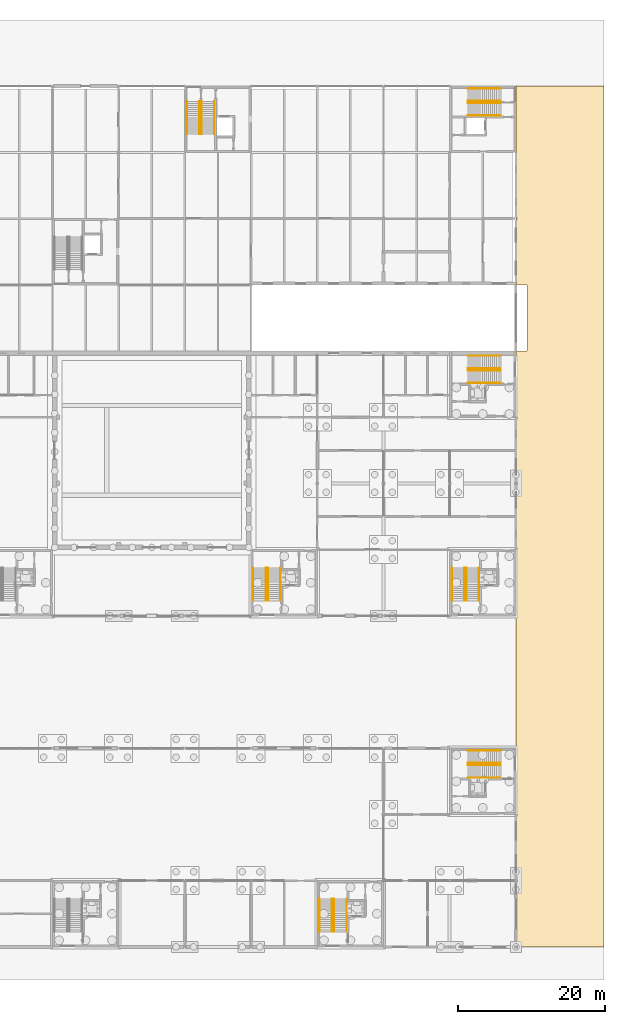
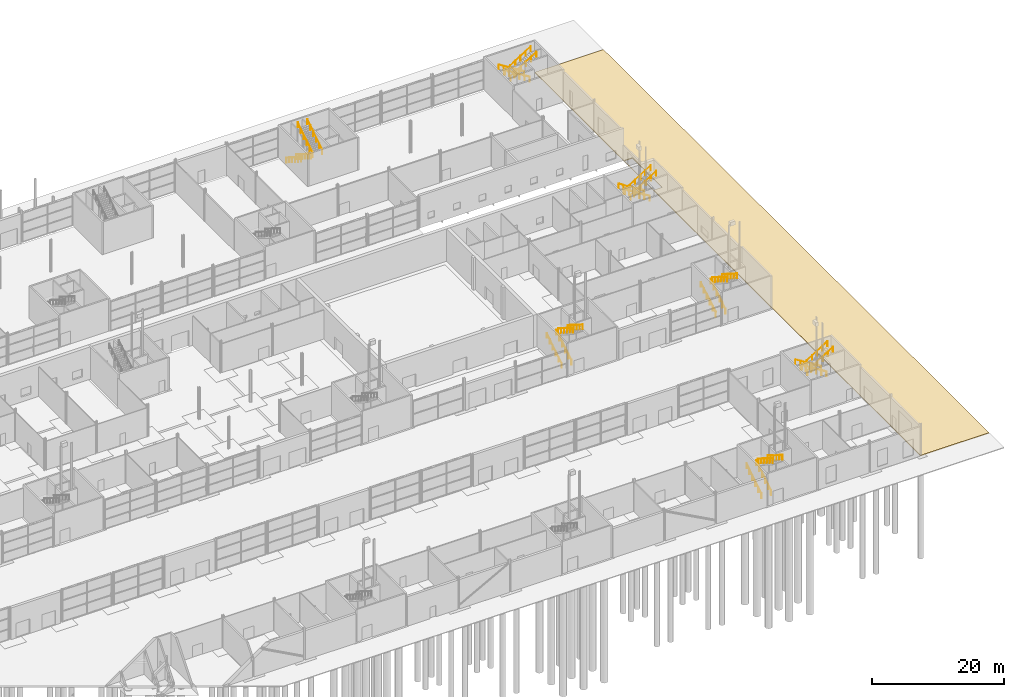
# One storey, part 95 of 97: 28 railings, 1 covering.
"""IFC4 building model written with IfcOpenShell, lengths in metres."""

from ifc_helpers import new_model, si_unit, direction, frame, origin, origin_2d, place, context, subcontext, project, spatial, polyline, circle, outline, extrude, material, layer, layer_set, type_object, element, save


model = new_model("IFC4")

# Units and contexts
model_context = context("Model", 3, precision=1e-05, world=origin(), true_north=direction((0.0, 1.0)))
body_context = subcontext(model_context, "Body", "Model", "MODEL_VIEW")
ifc_project = project(units=[si_unit("LENGTHUNIT", "METRE"), si_unit("AREAUNIT", "SQUARE_METRE"), si_unit("VOLUMEUNIT", "CUBIC_METRE"), si_unit("PLANEANGLEUNIT", "RADIAN"), si_unit("MASSUNIT", "GRAM", prefix="KILO")], contexts=[model_context])

# Site, building, storey
site_placement = place(None, origin())
site = spatial("IfcSite", under=ifc_project, at=site_placement, CompositionType="ELEMENT")
building_placement = place(site_placement, origin())
building = spatial("IfcBuilding", under=site, at=building_placement, Name="Corbel Yard City Hall", CompositionType="ELEMENT")
storey_placement = place(building_placement, origin())
storey = spatial("IfcBuildingStorey", under=building, at=storey_placement, Name="L00", CompositionType="ELEMENT", Elevation=0.0)

# Railings
ifc_material_1 = material(Name="Stainless steel Grade 316", Category="steel")
railing_type = type_object("IfcRailingType", Name="HR1", PredefinedType="HANDRAIL", material=ifc_material_1)
for number, where, name in (
    (1, (153.300048828125, 2.050048828125, 0.176513671875), "Exit stair handrail"),
    (2, (155.0, 2.050048828125, 0.176513671875), "Exit stair handrail"),
):
    element("IfcRailing", number, at=place(storey_placement, frame(where)), inside=storey, type_object=railing_type, Name=name, PredefinedType="HANDRAIL", context=body_context, shape_type="SweptSolid", body=[
        extrude(circle(Radius=0.02392578125, at=origin_2d()), frame((0.0, 0.0, 0.8759765625), z_axis=(0.0, 0.845997938375, 0.533186166611), x_axis=(-1.0, 0.0, 0.0)), (0.0, 0.0, 1.0), 5.29541015625),
        extrude(circle(Radius=0.02099609375, at=origin_2d()), origin(), (0.0, 0.0, 1.0), 0.851806640625),
        extrude(circle(Radius=0.02099609375, at=origin_2d()), frame((0.0, 0.89599609375, 0.564697265625)), (0.0, 0.0, 1.0), 0.851806640625),
        extrude(circle(Radius=0.02099609375, at=origin_2d()), frame((0.0, 1.7919921875, 1.12939453125)), (0.0, 0.0, 1.0), 0.851806640625),
        extrude(circle(Radius=0.02099609375, at=origin_2d()), frame((0.0, 2.68798828125, 1.694091796875)), (0.0, 0.0, 1.0), 0.851806640625),
        extrude(circle(Radius=0.02099609375, at=origin_2d()), frame((0.0, 3.583984375, 2.2587890625)), (0.0, 0.0, 1.0), 0.851806640625),
        extrude(circle(Radius=0.02099609375, at=origin_2d()), frame((0.0, 4.47998046875, 2.823486328125)), (0.0, 0.0, 1.0), 0.851806640625),
    ])
for number, where, name in (
    (3, (155.300048828125, 6.530029296875, 3.176513671875), "Exit stair handrail"),
    (4, (157.0, 6.530029296875, 3.176513671875), "Exit stair handrail"),
):
    element("IfcRailing", number, at=place(storey_placement, frame(where)), inside=storey, type_object=railing_type, Name=name, PredefinedType="HANDRAIL", context=body_context, shape_type="SweptSolid", body=[
        extrude(circle(Radius=0.02392578125, at=origin_2d()), frame((0.0, 0.0, 0.8759765625), z_axis=(0.0, -0.845997938375, 0.533186166611), x_axis=(1.0, 0.0, 0.0)), (0.0, 0.0, 1.0), 5.29541015625),
        extrude(circle(Radius=0.02099609375, at=origin_2d()), origin(), (0.0, 0.0, 1.0), 0.851806640625),
        extrude(circle(Radius=0.02099609375, at=origin_2d()), frame((0.0, -0.89599609375, 0.564697265625)), (0.0, 0.0, 1.0), 0.851806640625),
        extrude(circle(Radius=0.02099609375, at=origin_2d()), frame((0.0, -1.7919921875, 1.12939453125)), (0.0, 0.0, 1.0), 0.851806640625),
        extrude(circle(Radius=0.02099609375, at=origin_2d()), frame((0.0, -2.68798828125, 1.694091796875)), (0.0, 0.0, 1.0), 0.851806640625),
        extrude(circle(Radius=0.02099609375, at=origin_2d()), frame((0.0, -3.583984375, 2.2587890625)), (0.0, 0.0, 1.0), 0.851806640625),
        extrude(circle(Radius=0.02099609375, at=origin_2d()), frame((0.0, -4.47998046875, 2.823486328125)), (0.0, 0.0, 1.0), 0.851806640625),
    ])
for number, where, name in (
    (5, (177.949951171875, 26.699951171875, 0.176513671875), "Exit stair handrail"),
    (6, (177.949951171875, 25.0, 0.176513671875), "Exit stair handrail"),
):
    element("IfcRailing", number, at=place(storey_placement, frame(where)), inside=storey, type_object=railing_type, Name=name, PredefinedType="HANDRAIL", context=body_context, shape_type="SweptSolid", body=[
        extrude(circle(Radius=0.02392578125, at=origin_2d()), frame((0.0, 0.0, 0.8759765625), z_axis=(-0.845997938375, 0.0, 0.533186166611), x_axis=(0.0, -1.0, 0.0)), (0.0, 0.0, 1.0), 5.29541015625),
        extrude(circle(Radius=0.02099609375, at=origin_2d()), origin(), (0.0, 0.0, 1.0), 0.851806640625),
        extrude(circle(Radius=0.02099609375, at=origin_2d()), frame((-0.89599609375, 0.0, 0.564697265625)), (0.0, 0.0, 1.0), 0.851806640625),
        extrude(circle(Radius=0.02099609375, at=origin_2d()), frame((-1.7919921875, 0.0, 1.12939453125)), (0.0, 0.0, 1.0), 0.851806640625),
        extrude(circle(Radius=0.02099609375, at=origin_2d()), frame((-2.68798828125, 0.0, 1.694091796875)), (0.0, 0.0, 1.0), 0.851806640625),
        extrude(circle(Radius=0.02099609375, at=origin_2d()), frame((-3.583984375, 0.0, 2.2587890625)), (0.0, 0.0, 1.0), 0.851806640625),
        extrude(circle(Radius=0.02099609375, at=origin_2d()), frame((-4.47998046875, 0.0, 2.823486328125)), (0.0, 0.0, 1.0), 0.851806640625),
    ])
for number, where, name in (
    (7, (173.469970703125, 24.699951171875, 3.176513671875), "Exit stair handrail"),
    (8, (173.469970703125, 23.0, 3.176513671875), "Exit stair handrail"),
):
    element("IfcRailing", number, at=place(storey_placement, frame(where)), inside=storey, type_object=railing_type, Name=name, PredefinedType="HANDRAIL", context=body_context, shape_type="SweptSolid", body=[
        extrude(circle(Radius=0.02392578125, at=origin_2d()), frame((0.0, 0.0, 0.8759765625), z_axis=(0.845997938375, 0.0, 0.533186166611), x_axis=(0.0, 1.0, 0.0)), (0.0, 0.0, 1.0), 5.29541015625),
        extrude(circle(Radius=0.02099609375, at=origin_2d()), origin(), (0.0, 0.0, 1.0), 0.851806640625),
        extrude(circle(Radius=0.02099609375, at=origin_2d()), frame((0.89599609375, 0.0, 0.564697265625)), (0.0, 0.0, 1.0), 0.851806640625),
        extrude(circle(Radius=0.02099609375, at=origin_2d()), frame((1.7919921875, 0.0, 1.12939453125)), (0.0, 0.0, 1.0), 0.851806640625),
        extrude(circle(Radius=0.02099609375, at=origin_2d()), frame((2.68798828125, 0.0, 1.694091796875)), (0.0, 0.0, 1.0), 0.851806640625),
        extrude(circle(Radius=0.02099609375, at=origin_2d()), frame((3.583984375, 0.0, 2.2587890625)), (0.0, 0.0, 1.0), 0.851806640625),
        extrude(circle(Radius=0.02099609375, at=origin_2d()), frame((4.47998046875, 0.0, 2.823486328125)), (0.0, 0.0, 1.0), 0.851806640625),
    ])
for number, where, name in (
    (9, (144.300048828125, 47.050048828125, 0.176513671875), "Exit stair handrail"),
    (10, (146.0, 47.050048828125, 0.176513671875), "Exit stair handrail"),
):
    element("IfcRailing", number, at=place(storey_placement, frame(where)), inside=storey, type_object=railing_type, Name=name, PredefinedType="HANDRAIL", context=body_context, shape_type="SweptSolid", body=[
        extrude(circle(Radius=0.02392578125, at=origin_2d()), frame((0.0, 0.0, 0.8759765625), z_axis=(0.0, 0.845997938375, 0.533186166611), x_axis=(-1.0, 0.0, 0.0)), (0.0, 0.0, 1.0), 5.29541015625),
        extrude(circle(Radius=0.02099609375, at=origin_2d()), origin(), (0.0, 0.0, 1.0), 0.851806640625),
        extrude(circle(Radius=0.02099609375, at=origin_2d()), frame((0.0, 0.89599609375, 0.564697265625)), (0.0, 0.0, 1.0), 0.851806640625),
        extrude(circle(Radius=0.02099609375, at=origin_2d()), frame((0.0, 1.7919921875, 1.12939453125)), (0.0, 0.0, 1.0), 0.851806640625),
        extrude(circle(Radius=0.02099609375, at=origin_2d()), frame((0.0, 2.68798828125, 1.694091796875)), (0.0, 0.0, 1.0), 0.851806640625),
        extrude(circle(Radius=0.02099609375, at=origin_2d()), frame((0.0, 3.583984375, 2.2587890625)), (0.0, 0.0, 1.0), 0.851806640625),
        extrude(circle(Radius=0.02099609375, at=origin_2d()), frame((0.0, 4.47998046875, 2.823486328125)), (0.0, 0.0, 1.0), 0.851806640625),
    ])
for number, where, name in (
    (11, (146.300048828125, 51.530029296875, 3.176513671875), "Exit stair handrail"),
    (12, (148.0, 51.530029296875, 3.176513671875), "Exit stair handrail"),
):
    element("IfcRailing", number, at=place(storey_placement, frame(where)), inside=storey, type_object=railing_type, Name=name, PredefinedType="HANDRAIL", context=body_context, shape_type="SweptSolid", body=[
        extrude(circle(Radius=0.02392578125, at=origin_2d()), frame((0.0, 0.0, 0.8759765625), z_axis=(0.0, -0.845997938375, 0.533186166611), x_axis=(1.0, 0.0, 0.0)), (0.0, 0.0, 1.0), 5.29541015625),
        extrude(circle(Radius=0.02099609375, at=origin_2d()), origin(), (0.0, 0.0, 1.0), 0.851806640625),
        extrude(circle(Radius=0.02099609375, at=origin_2d()), frame((0.0, -0.89599609375, 0.564697265625)), (0.0, 0.0, 1.0), 0.851806640625),
        extrude(circle(Radius=0.02099609375, at=origin_2d()), frame((0.0, -1.7919921875, 1.12939453125)), (0.0, 0.0, 1.0), 0.851806640625),
        extrude(circle(Radius=0.02099609375, at=origin_2d()), frame((0.0, -2.68798828125, 1.694091796875)), (0.0, 0.0, 1.0), 0.851806640625),
        extrude(circle(Radius=0.02099609375, at=origin_2d()), frame((0.0, -3.583984375, 2.2587890625)), (0.0, 0.0, 1.0), 0.851806640625),
        extrude(circle(Radius=0.02099609375, at=origin_2d()), frame((0.0, -4.47998046875, 2.823486328125)), (0.0, 0.0, 1.0), 0.851806640625),
    ])
for number, where, name in (
    (13, (171.300048828125, 47.050048828125, 0.176513671875), "Exit stair handrail"),
    (14, (173.0, 47.050048828125, 0.176513671875), "Exit stair handrail"),
):
    element("IfcRailing", number, at=place(storey_placement, frame(where)), inside=storey, type_object=railing_type, Name=name, PredefinedType="HANDRAIL", context=body_context, shape_type="SweptSolid", body=[
        extrude(circle(Radius=0.02392578125, at=origin_2d()), frame((0.0, 0.0, 0.8759765625), z_axis=(0.0, 0.845997938375, 0.533186166611), x_axis=(-1.0, 0.0, 0.0)), (0.0, 0.0, 1.0), 5.29541015625),
        extrude(circle(Radius=0.02099609375, at=origin_2d()), origin(), (0.0, 0.0, 1.0), 0.851806640625),
        extrude(circle(Radius=0.02099609375, at=origin_2d()), frame((0.0, 0.89599609375, 0.564697265625)), (0.0, 0.0, 1.0), 0.851806640625),
        extrude(circle(Radius=0.02099609375, at=origin_2d()), frame((0.0, 1.7919921875, 1.12939453125)), (0.0, 0.0, 1.0), 0.851806640625),
        extrude(circle(Radius=0.02099609375, at=origin_2d()), frame((0.0, 2.68798828125, 1.694091796875)), (0.0, 0.0, 1.0), 0.851806640625),
        extrude(circle(Radius=0.02099609375, at=origin_2d()), frame((0.0, 3.583984375, 2.2587890625)), (0.0, 0.0, 1.0), 0.851806640625),
        extrude(circle(Radius=0.02099609375, at=origin_2d()), frame((0.0, 4.47998046875, 2.823486328125)), (0.0, 0.0, 1.0), 0.851806640625),
    ])
for number, where, name in (
    (15, (173.300048828125, 51.530029296875, 3.176513671875), "Exit stair handrail"),
    (16, (175.0, 51.530029296875, 3.176513671875), "Exit stair handrail"),
):
    element("IfcRailing", number, at=place(storey_placement, frame(where)), inside=storey, type_object=railing_type, Name=name, PredefinedType="HANDRAIL", context=body_context, shape_type="SweptSolid", body=[
        extrude(circle(Radius=0.02392578125, at=origin_2d()), frame((0.0, 0.0, 0.8759765625), z_axis=(0.0, -0.845997938375, 0.533186166611), x_axis=(1.0, 0.0, 0.0)), (0.0, 0.0, 1.0), 5.29541015625),
        extrude(circle(Radius=0.02099609375, at=origin_2d()), origin(), (0.0, 0.0, 1.0), 0.851806640625),
        extrude(circle(Radius=0.02099609375, at=origin_2d()), frame((0.0, -0.89599609375, 0.564697265625)), (0.0, 0.0, 1.0), 0.851806640625),
        extrude(circle(Radius=0.02099609375, at=origin_2d()), frame((0.0, -1.7919921875, 1.12939453125)), (0.0, 0.0, 1.0), 0.851806640625),
        extrude(circle(Radius=0.02099609375, at=origin_2d()), frame((0.0, -2.68798828125, 1.694091796875)), (0.0, 0.0, 1.0), 0.851806640625),
        extrude(circle(Radius=0.02099609375, at=origin_2d()), frame((0.0, -3.583984375, 2.2587890625)), (0.0, 0.0, 1.0), 0.851806640625),
        extrude(circle(Radius=0.02099609375, at=origin_2d()), frame((0.0, -4.47998046875, 2.823486328125)), (0.0, 0.0, 1.0), 0.851806640625),
    ])
for number, where, name in (
    (17, (177.949951171875, 80.35009765625, 0.176513671875), "Exit stair handrail"),
    (18, (177.949951171875, 78.64990234375, 0.176513671875), "Exit stair handrail"),
):
    element("IfcRailing", number, at=place(storey_placement, frame(where)), inside=storey, type_object=railing_type, Name=name, PredefinedType="HANDRAIL", context=body_context, shape_type="SweptSolid", body=[
        extrude(circle(Radius=0.02392578125, at=origin_2d()), frame((0.0, 0.0, 0.8759765625), z_axis=(-0.845997938375, 0.0, 0.533186166611), x_axis=(0.0, -1.0, 0.0)), (0.0, 0.0, 1.0), 5.29541015625),
        extrude(circle(Radius=0.02099609375, at=origin_2d()), origin(), (0.0, 0.0, 1.0), 0.851806640625),
        extrude(circle(Radius=0.02099609375, at=origin_2d()), frame((-0.89599609375, 0.0, 0.564697265625)), (0.0, 0.0, 1.0), 0.851806640625),
        extrude(circle(Radius=0.02099609375, at=origin_2d()), frame((-1.7919921875, 0.0, 1.12939453125)), (0.0, 0.0, 1.0), 0.851806640625),
        extrude(circle(Radius=0.02099609375, at=origin_2d()), frame((-2.68798828125, 0.0, 1.694091796875)), (0.0, 0.0, 1.0), 0.851806640625),
        extrude(circle(Radius=0.02099609375, at=origin_2d()), frame((-3.583984375, 0.0, 2.2587890625)), (0.0, 0.0, 1.0), 0.851806640625),
        extrude(circle(Radius=0.02099609375, at=origin_2d()), frame((-4.47998046875, 0.0, 2.823486328125)), (0.0, 0.0, 1.0), 0.851806640625),
    ])
for number, where, name in (
    (19, (173.469970703125, 78.35009765625, 3.176513671875), "Exit stair handrail"),
    (20, (173.469970703125, 76.64990234375, 3.176513671875), "Exit stair handrail"),
):
    element("IfcRailing", number, at=place(storey_placement, frame(where)), inside=storey, type_object=railing_type, Name=name, PredefinedType="HANDRAIL", context=body_context, shape_type="SweptSolid", body=[
        extrude(circle(Radius=0.02392578125, at=origin_2d()), frame((0.0, 0.0, 0.8759765625), z_axis=(0.845997938375, 0.0, 0.533186166611), x_axis=(0.0, 1.0, 0.0)), (0.0, 0.0, 1.0), 5.29541015625),
        extrude(circle(Radius=0.02099609375, at=origin_2d()), origin(), (0.0, 0.0, 1.0), 0.851806640625),
        extrude(circle(Radius=0.02099609375, at=origin_2d()), frame((0.89599609375, 0.0, 0.564697265625)), (0.0, 0.0, 1.0), 0.851806640625),
        extrude(circle(Radius=0.02099609375, at=origin_2d()), frame((1.7919921875, 0.0, 1.12939453125)), (0.0, 0.0, 1.0), 0.851806640625),
        extrude(circle(Radius=0.02099609375, at=origin_2d()), frame((2.68798828125, 0.0, 1.694091796875)), (0.0, 0.0, 1.0), 0.851806640625),
        extrude(circle(Radius=0.02099609375, at=origin_2d()), frame((3.583984375, 0.0, 2.2587890625)), (0.0, 0.0, 1.0), 0.851806640625),
        extrude(circle(Radius=0.02099609375, at=origin_2d()), frame((4.47998046875, 0.0, 2.823486328125)), (0.0, 0.0, 1.0), 0.851806640625),
    ])
for number, where, name in (
    (21, (135.300048828125, 114.949951171875, 0.176513671875), "Exit stair handrail"),
    (22, (137.0, 114.949951171875, 0.176513671875), "Exit stair handrail"),
):
    element("IfcRailing", number, at=place(storey_placement, frame(where)), inside=storey, type_object=railing_type, Name=name, PredefinedType="HANDRAIL", context=body_context, shape_type="SweptSolid", body=[
        extrude(circle(Radius=0.02392578125, at=origin_2d()), frame((0.0, 0.0, 0.8759765625), z_axis=(0.0, -0.845997938375, 0.533186166611), x_axis=(1.0, 0.0, 0.0)), (0.0, 0.0, 1.0), 5.29541015625),
        extrude(circle(Radius=0.02099609375, at=origin_2d()), origin(), (0.0, 0.0, 1.0), 0.851806640625),
        extrude(circle(Radius=0.02099609375, at=origin_2d()), frame((0.0, -0.89599609375, 0.564697265625)), (0.0, 0.0, 1.0), 0.851806640625),
        extrude(circle(Radius=0.02099609375, at=origin_2d()), frame((0.0, -1.7919921875, 1.12939453125)), (0.0, 0.0, 1.0), 0.851806640625),
        extrude(circle(Radius=0.02099609375, at=origin_2d()), frame((0.0, -2.68798828125, 1.694091796875)), (0.0, 0.0, 1.0), 0.851806640625),
        extrude(circle(Radius=0.02099609375, at=origin_2d()), frame((0.0, -3.583984375, 2.2587890625)), (0.0, 0.0, 1.0), 0.851806640625),
        extrude(circle(Radius=0.02099609375, at=origin_2d()), frame((0.0, -4.47998046875, 2.823486328125)), (0.0, 0.0, 1.0), 0.851806640625),
    ])
for number, where, name in (
    (23, (137.300048828125, 110.469970703125, 3.176513671875), "Exit stair handrail"),
    (24, (139.0, 110.469970703125, 3.176513671875), "Exit stair handrail"),
):
    element("IfcRailing", number, at=place(storey_placement, frame(where)), inside=storey, type_object=railing_type, Name=name, PredefinedType="HANDRAIL", context=body_context, shape_type="SweptSolid", body=[
        extrude(circle(Radius=0.02392578125, at=origin_2d()), frame((0.0, 0.0, 0.8759765625), z_axis=(0.0, 0.845997938375, 0.533186166611), x_axis=(-1.0, 0.0, 0.0)), (0.0, 0.0, 1.0), 5.29541015625),
        extrude(circle(Radius=0.02099609375, at=origin_2d()), origin(), (0.0, 0.0, 1.0), 0.851806640625),
        extrude(circle(Radius=0.02099609375, at=origin_2d()), frame((0.0, 0.89599609375, 0.564697265625)), (0.0, 0.0, 1.0), 0.851806640625),
        extrude(circle(Radius=0.02099609375, at=origin_2d()), frame((0.0, 1.7919921875, 1.12939453125)), (0.0, 0.0, 1.0), 0.851806640625),
        extrude(circle(Radius=0.02099609375, at=origin_2d()), frame((0.0, 2.68798828125, 1.694091796875)), (0.0, 0.0, 1.0), 0.851806640625),
        extrude(circle(Radius=0.02099609375, at=origin_2d()), frame((0.0, 3.583984375, 2.2587890625)), (0.0, 0.0, 1.0), 0.851806640625),
        extrude(circle(Radius=0.02099609375, at=origin_2d()), frame((0.0, 4.47998046875, 2.823486328125)), (0.0, 0.0, 1.0), 0.851806640625),
    ])
for number, where, name in (
    (25, (177.949951171875, 116.699951171875, 0.176513671875), "Exit stair handrail"),
    (26, (177.949951171875, 115.0, 0.176513671875), "Exit stair handrail"),
):
    element("IfcRailing", number, at=place(storey_placement, frame(where)), inside=storey, type_object=railing_type, Name=name, PredefinedType="HANDRAIL", context=body_context, shape_type="SweptSolid", body=[
        extrude(circle(Radius=0.02392578125, at=origin_2d()), frame((0.0, 0.0, 0.8759765625), z_axis=(-0.845997938375, 0.0, 0.533186166611), x_axis=(0.0, -1.0, 0.0)), (0.0, 0.0, 1.0), 5.29541015625),
        extrude(circle(Radius=0.02099609375, at=origin_2d()), origin(), (0.0, 0.0, 1.0), 0.851806640625),
        extrude(circle(Radius=0.02099609375, at=origin_2d()), frame((-0.89599609375, 0.0, 0.564697265625)), (0.0, 0.0, 1.0), 0.851806640625),
        extrude(circle(Radius=0.02099609375, at=origin_2d()), frame((-1.7919921875, 0.0, 1.12939453125)), (0.0, 0.0, 1.0), 0.851806640625),
        extrude(circle(Radius=0.02099609375, at=origin_2d()), frame((-2.68798828125, 0.0, 1.694091796875)), (0.0, 0.0, 1.0), 0.851806640625),
        extrude(circle(Radius=0.02099609375, at=origin_2d()), frame((-3.583984375, 0.0, 2.2587890625)), (0.0, 0.0, 1.0), 0.851806640625),
        extrude(circle(Radius=0.02099609375, at=origin_2d()), frame((-4.47998046875, 0.0, 2.823486328125)), (0.0, 0.0, 1.0), 0.851806640625),
    ])
for number, where, name in (
    (27, (173.469970703125, 114.699951171875, 3.176513671875), "Exit stair handrail"),
    (28, (173.469970703125, 113.0, 3.176513671875), "Exit stair handrail"),
):
    element("IfcRailing", number, at=place(storey_placement, frame(where)), inside=storey, type_object=railing_type, Name=name, PredefinedType="HANDRAIL", context=body_context, shape_type="SweptSolid", body=[
        extrude(circle(Radius=0.02392578125, at=origin_2d()), frame((0.0, 0.0, 0.8759765625), z_axis=(0.845997938375, 0.0, 0.533186166611), x_axis=(0.0, 1.0, 0.0)), (0.0, 0.0, 1.0), 5.29541015625),
        extrude(circle(Radius=0.02099609375, at=origin_2d()), origin(), (0.0, 0.0, 1.0), 0.851806640625),
        extrude(circle(Radius=0.02099609375, at=origin_2d()), frame((0.89599609375, 0.0, 0.564697265625)), (0.0, 0.0, 1.0), 0.851806640625),
        extrude(circle(Radius=0.02099609375, at=origin_2d()), frame((1.7919921875, 0.0, 1.12939453125)), (0.0, 0.0, 1.0), 0.851806640625),
        extrude(circle(Radius=0.02099609375, at=origin_2d()), frame((2.68798828125, 0.0, 1.694091796875)), (0.0, 0.0, 1.0), 0.851806640625),
        extrude(circle(Radius=0.02099609375, at=origin_2d()), frame((3.583984375, 0.0, 2.2587890625)), (0.0, 0.0, 1.0), 0.851806640625),
        extrude(circle(Radius=0.02099609375, at=origin_2d()), frame((4.47998046875, 0.0, 2.823486328125)), (0.0, 0.0, 1.0), 0.851806640625),
    ])

# Covering
ifc_material_2 = material(Name="Concrete N40 (40 MPa)", Category="concrete")
ifc_layer = layer(ifc_material_2, 0.14990234375)
ifc_layer_set = layer_set([ifc_layer], Name="Concrete N40 (40 MPa)")
covering_type = type_object("IfcCoveringType", Name="PV1", PredefinedType="USERDEFINED", material=ifc_layer_set)
covering_placement = place(storey_placement, frame((0.0, 0.0, -0.14990234375)))
element("IfcCovering", 29, at=covering_placement, inside=storey, type_object=covering_type, Name="East service way paving", ObjectType="PAVING", PredefinedType="USERDEFINED", context=body_context, shape_type="SweptSolid", body=[
    extrude(outline(polyline([(180.0, 0.0), (192.0, 0.0), (192.0, 117.0), (180.0, 117.0), (180.0, 0.0)]), holes=[polyline([(180.02099609375, 81.0), (181.5, 81.0), (181.5, 90.0), (180.02099609375, 90.0), (180.02099609375, 81.0)])]), origin(), (0.0, 0.0, 1.0), 0.14990234375),
])

save(model, "model.ifc")
